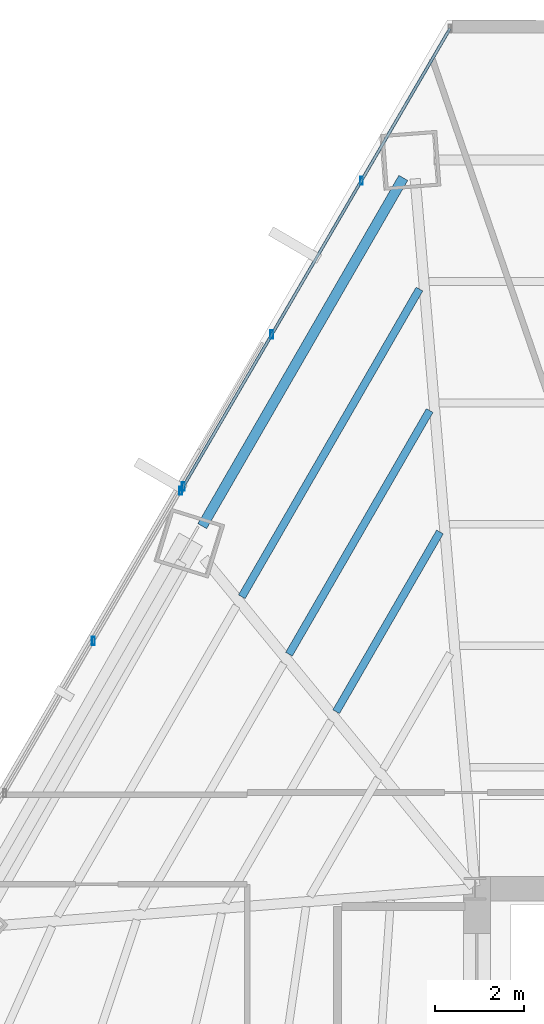
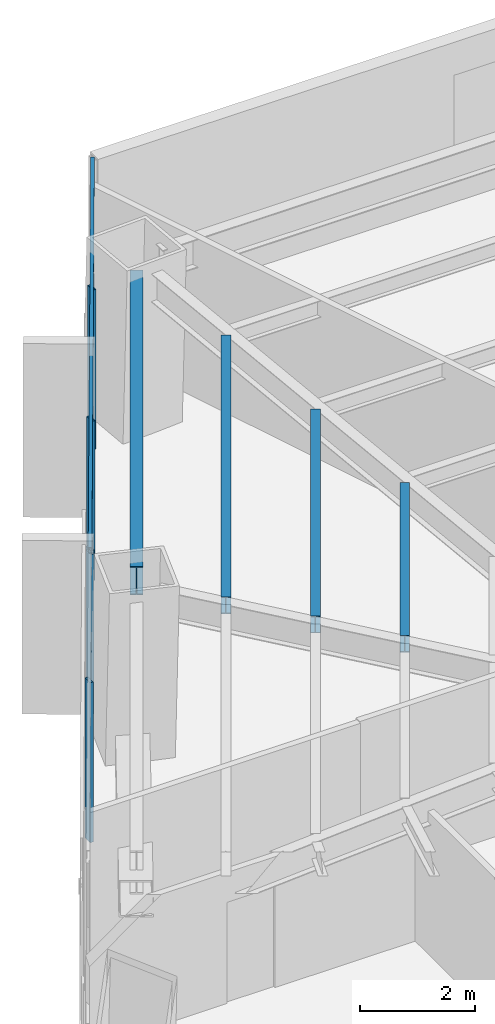
# One storey, part 22 of 33: 7 members, 4 beams, 2 elements without a shape of their own.
"""IFC4 building model written with IfcOpenShell, lengths in metres."""

from ifc_helpers import new_model, si_unit, direction, frame, origin, origin_2d, place, context, subcontext, project, spatial, hollow_rectangle, i_section, extrude, source, transform, mapped, material, material_profile, profile_set, type_object, type_shapes, element, aggregate, save


model = new_model("IFC4")

# Units and contexts
model_context = context("Model", 3, precision=1e-05, world=origin(), true_north=direction((0.0, 1.0)))
body_context = subcontext(model_context, "Body", "Model", "MODEL_VIEW")
ifc_project = project(units=[si_unit("LENGTHUNIT", "METRE"), si_unit("AREAUNIT", "SQUARE_METRE"), si_unit("VOLUMEUNIT", "CUBIC_METRE"), si_unit("PLANEANGLEUNIT", "RADIAN"), si_unit("MASSUNIT", "GRAM", prefix="KILO")], contexts=[model_context])

# Site, building, storey
site_placement = place(None, origin())
site = spatial("IfcSite", under=ifc_project, at=site_placement, CompositionType="ELEMENT")
building_placement = place(site_placement, origin())
building = spatial("IfcBuilding", under=site, at=building_placement, Name="Caelisora Broadcast Tower", CompositionType="ELEMENT")
storey_placement = place(building_placement, frame((0.0, 0.0, 42.199951171875)))
storey = spatial("IfcBuildingStorey", under=building, at=storey_placement, Name="L10", CompositionType="ELEMENT", Elevation=42.199951171875)

# Beams
ifc_material_1 = material(Name="Steel Grade 350 (AS/NZS 3679.1)", Category="steel")
ifc_material_profile_1 = material_profile(ifc_material_1, i_section(OverallWidth=0.22900390625, OverallDepth=0.611572265625, WebThickness=0.011962890625, FlangeThickness=0.01953125, at=origin_2d()), Name="Steel Grade 350 (AS/NZS 3679.1)")
ifc_profile_set_1 = profile_set([ifc_material_profile_1], Name="Steel Grade 350 (AS/NZS 3679.1)")
beam_type_1 = type_object("IfcBeamType", Name="PG03", PredefinedType="BEAM", material=ifc_profile_set_1)
shared_shape_1 = source(origin(), body_context, "Body", "SweptSolid", [
    extrude(i_section(OverallWidth=0.22900390625, OverallDepth=0.611572265625, WebThickness=0.011962890625, FlangeThickness=0.01953125, at=origin_2d()), origin(), (0.0, 0.0, 1.0), 8.998779296875),
])
type_shapes(beam_type_1, [shared_shape_1])
beam_1_placement = place(storey_placement, frame((28.894287109375, 45.90576171875, 3.09423828125), z_axis=(-0.499987833089, -0.86603242824, 0.0), x_axis=(0.86603242824, -0.499987833089, 0.0)))
element("IfcBeam", 1, at=beam_1_placement, inside=storey, type_object=beam_type_1, Name="L10 beam PG03", PredefinedType="BEAM", context=body_context, shape_type="MappedRepresentation", body=[
    mapped(shared_shape_1, transform((0.0, 0.0, 0.0), scale=1.0)),
])
ifc_material_profile_2 = material_profile(ifc_material_1, i_section(OverallWidth=0.172119140625, OverallDepth=0.358642578125, WebThickness=0.008056640625, FlangeThickness=0.012939453125, at=origin_2d()), Name="Steel Grade 350 (AS/NZS 3679.1)")
ifc_profile_set_2 = profile_set([ifc_material_profile_2], Name="Steel Grade 350 (AS/NZS 3679.1)")
beam_type_2 = type_object("IfcBeamType", Name="SB02", PredefinedType="JOIST", material=ifc_profile_set_2)
shared_shape_2 = source(origin(), body_context, "Body", "SweptSolid", [
    extrude(i_section(OverallWidth=0.172119140625, OverallDepth=0.358642578125, WebThickness=0.008056640625, FlangeThickness=0.012939453125, at=origin_2d()), origin(), (0.0, 0.0, 1.0), 4.64404296875),
])
beam_2_placement = place(storey_placement, frame((29.7138671875, 37.981689453125, 3.220703125), z_axis=(-0.500012184126, -0.866018369162, 0.0), x_axis=(0.866018369162, -0.500012184126, 0.0)))
element("IfcBeam", 2, at=beam_2_placement, inside=storey, type_object=beam_type_2, Name="L10 beam SB02", PredefinedType="JOIST", context=body_context, shape_type="MappedRepresentation", body=[
    mapped(shared_shape_2, transform((0.0, 0.0, 0.0), scale=1.0)),
])
shared_shape_3 = source(origin(), body_context, "Body", "SweptSolid", [
    extrude(i_section(OverallWidth=0.172119140625, OverallDepth=0.358642578125, WebThickness=0.008056640625, FlangeThickness=0.012939453125, at=origin_2d()), origin(), (0.0, 0.0, 1.0), 6.297119140625),
])
beam_3_placement = place(storey_placement, frame((29.484619140625, 40.69921875, 3.220703125), z_axis=(-0.499975274946, -0.86603967833, 0.0), x_axis=(0.86603967833, -0.499975274946, 0.0)))
element("IfcBeam", 3, at=beam_3_placement, inside=storey, type_object=beam_type_2, Name="L10 beam SB02", PredefinedType="JOIST", context=body_context, shape_type="MappedRepresentation", body=[
    mapped(shared_shape_3, transform((0.0, 0.0, 0.0), scale=1.0)),
])
shared_shape_4 = source(origin(), body_context, "Body", "SweptSolid", [
    extrude(i_section(OverallWidth=0.172119140625, OverallDepth=0.358642578125, WebThickness=0.008056640625, FlangeThickness=0.012939453125, at=origin_2d()), origin(), (0.0, 0.0, 1.0), 7.9501953125),
])
type_shapes(beam_type_2, [shared_shape_2, shared_shape_3, shared_shape_4])
beam_4_placement = place(storey_placement, frame((29.25537109375, 43.41650390625, 3.220703125), z_axis=(-0.500003340945, -0.86602347488, 0.0), x_axis=(0.86602347488, -0.500003340945, 0.0)))
element("IfcBeam", 4, at=beam_4_placement, inside=storey, type_object=beam_type_2, Name="L10 beam SB02", PredefinedType="JOIST", context=body_context, shape_type="MappedRepresentation", body=[
    mapped(shared_shape_4, transform((0.0, 0.0, 0.0), scale=1.0)),
])

# Curtain wall, members
ifc_material_2 = material(Name="Unitised Aluminium Insulated Shadow-Box Spandrel Curtain Wall", Category="aluminium")
curtain_wall_type_1 = type_object("IfcCurtainWallType", Name="CW-SP1", PredefinedType="NOTDEFINED", material=ifc_material_2)
curtain_wall_1_placement = place(storey_placement, origin())
curtain_wall_1 = element("IfcCurtainWall", 5, at=curtain_wall_1_placement, inside=storey, type_object=curtain_wall_type_1, Name="L10 curtain wall CW-SP1", PredefinedType="NOTDEFINED")
ifc_material_3 = material(Name="Aluminium 6063-T6 Anodised Terracotta Bronze", Category="aluminium")
ifc_material_profile_3 = material_profile(ifc_material_3, hollow_rectangle(XDim=0.06494140625, YDim=0.179931640625, WallThickness=0.00341796875, at=origin_2d()), Name="Aluminium 6063-T6 Anodised Terracotta Bronze")
ifc_profile_set_3 = profile_set([ifc_material_profile_3], Name="Aluminium 6063-T6 Anodised Terracotta Bronze")
member_type_1 = type_object("IfcMemberType", Name="CWM-02", PredefinedType="MULLION", material=ifc_profile_set_3)
shared_shape_5 = source(origin(), body_context, "Body", "SweptSolid", [
    extrude(hollow_rectangle(XDim=0.06494140625, YDim=0.179931640625, WallThickness=0.00341796875, at=origin_2d()), origin(), (0.0, 0.0, 1.0), 3.400146484375),
])
type_shapes(member_type_1, [shared_shape_5])
member_1_placement = place(storey_placement, frame((21.957275390625, 35.54150390625, 0.0), z_axis=(0.0, 0.0, 1.0), x_axis=(1.0, 0.0, 0.0)))
member_1 = element("IfcMember", 6, at=member_1_placement, type_object=member_type_1, Name="L10-CW-B10 mullion #2", PredefinedType="MULLION", context=body_context, shape_type="MappedRepresentation", body=[
    mapped(shared_shape_5, transform((0.0, 0.0, 0.0), scale=1.0)),
])
member_2_placement = place(storey_placement, frame((23.916015625, 38.90478515625, 0.0), z_axis=(0.0, 0.0, 1.0), x_axis=(1.0, 0.0, 0.0)))
member_2 = element("IfcMember", 7, at=member_2_placement, type_object=member_type_1, Name="L10-CW-B10 mullion #3", PredefinedType="MULLION", context=body_context, shape_type="MappedRepresentation", body=[
    mapped(shared_shape_5, transform((0.0, 0.0, 0.0), scale=1.0)),
])
aggregate(curtain_wall_1, [member_1, member_2])

ifc_material_4 = material(Name="Unitised Aluminium and Low-E Glass Curtain Wall", Category="glass")
curtain_wall_type_2 = type_object("IfcCurtainWallType", Name="CW-Z1", PredefinedType="NOTDEFINED", material=ifc_material_4)
curtain_wall_2_placement = place(storey_placement, origin())
curtain_wall_2 = element("IfcCurtainWall", 8, at=curtain_wall_2_placement, inside=storey, type_object=curtain_wall_type_2, Name="L10 curtain wall CW-Z1", PredefinedType="NOTDEFINED")
member_3_placement = place(storey_placement, frame((23.97119140625, 38.999755859375, 0.0), z_axis=(0.0, 0.0, 1.0), x_axis=(1.0, 0.0, 0.0)))
member_3 = element("IfcMember", 9, at=member_3_placement, type_object=member_type_1, Name="L10-CW-B11 mullion #0", PredefinedType="MULLION", context=body_context, shape_type="MappedRepresentation", body=[
    mapped(shared_shape_5, transform((0.0, 0.0, 0.0), scale=1.0)),
])
member_4_placement = place(storey_placement, frame((25.9521484375, 42.400634765625, 0.0), z_axis=(0.0, 0.0, 1.0), x_axis=(1.0, 0.0, 0.0)))
member_4 = element("IfcMember", 10, at=member_4_placement, type_object=member_type_1, Name="L10-CW-B11 mullion #1", PredefinedType="MULLION", context=body_context, shape_type="MappedRepresentation", body=[
    mapped(shared_shape_5, transform((0.0, 0.0, 0.0), scale=1.0)),
])
member_5_placement = place(storey_placement, frame((27.9580078125, 45.844970703125, 0.0), z_axis=(0.0, 0.0, 1.0), x_axis=(1.0, 0.0, 0.0)))
member_5 = element("IfcMember", 11, at=member_5_placement, type_object=member_type_1, Name="L10-CW-B11 mullion #2", PredefinedType="MULLION", context=body_context, shape_type="MappedRepresentation", body=[
    mapped(shared_shape_5, transform((0.0, 0.0, 0.0), scale=1.0)),
])
ifc_material_profile_4 = material_profile(ifc_material_3, hollow_rectangle(XDim=0.06494140625, YDim=0.179931640625, WallThickness=0.00341796875, at=origin_2d()), Name="Aluminium 6063-T6 Anodised Terracotta Bronze")
ifc_profile_set_4 = profile_set([ifc_material_profile_4], Name="Aluminium 6063-T6 Anodised Terracotta Bronze")
member_type_2 = type_object("IfcMemberType", Name="CWT-01", PredefinedType="USERDEFINED", material=ifc_profile_set_4)
shared_shape_6 = source(origin(), body_context, "Body", "SweptSolid", [
    extrude(hollow_rectangle(XDim=0.06494140625, YDim=0.179931640625, WallThickness=0.00341796875, at=origin_2d()), origin(), (0.0, 0.0, 1.0), 11.857177734375),
])
type_shapes(member_type_2, [shared_shape_6])
member_6_placement = place(storey_placement, frame((23.97119140625, 38.999755859375, 0.85009765625), z_axis=(0.503282012334, 0.864122222872, 0.0), x_axis=(-0.864122222872, 0.503282012334, 0.0)))
member_6 = element("IfcMember", 12, at=member_6_placement, type_object=member_type_2, Name="L10-CW-B11 transom #1", ObjectType="TRANSOM", PredefinedType="USERDEFINED", context=body_context, shape_type="MappedRepresentation", body=[
    mapped(shared_shape_6, transform((0.0, 0.0, 0.0), scale=1.0)),
])
member_7_placement = place(storey_placement, frame((23.97119140625, 38.999755859375, 3.320068359375), z_axis=(0.503282012334, 0.864122222872, 0.0), x_axis=(-0.864122222872, 0.503282012334, 0.0)))
member_7 = element("IfcMember", 13, at=member_7_placement, type_object=member_type_2, Name="L10-CW-B11 transom #2", ObjectType="TRANSOM", PredefinedType="USERDEFINED", context=body_context, shape_type="MappedRepresentation", body=[
    mapped(shared_shape_6, transform((0.0, 0.0, 0.0), scale=1.0)),
])
aggregate(curtain_wall_2, [member_3, member_4, member_5, member_6, member_7])

save(model, "model.ifc")
